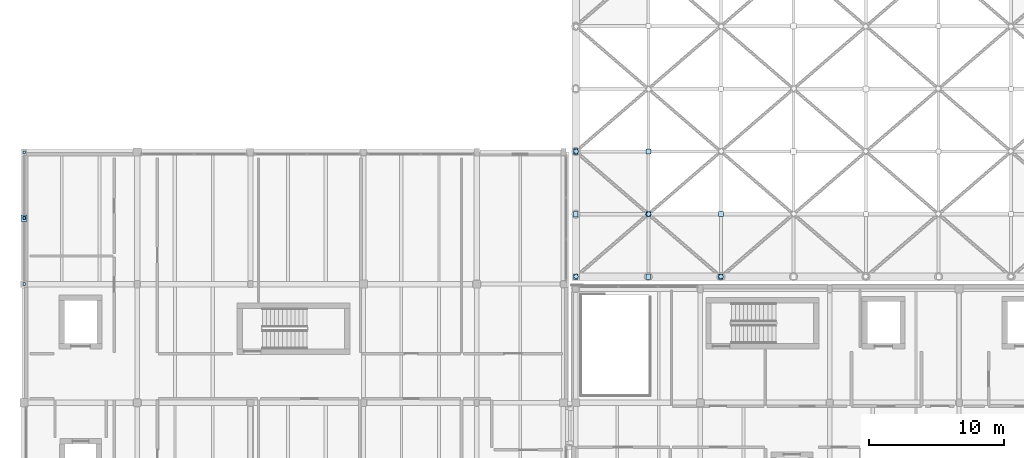
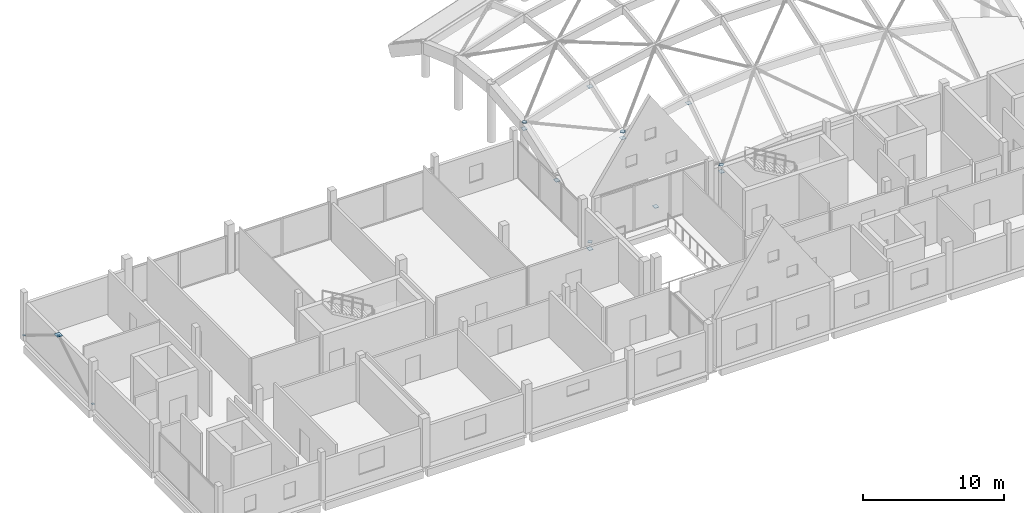
# One storey, part 20 of 41: 22 plates.
"""IFC4 building model written with IfcOpenShell, lengths in metres."""

from ifc_helpers import new_model, si_unit, direction, frame, origin, origin_2d, place, context, subcontext, project, spatial, rectangle, extrude, material, layer, layer_set, type_object, element, save


model = new_model("IFC4")

# Units and contexts
model_context = context("Model", 3, precision=1e-05, world=origin(), true_north=direction((0.0, 1.0)))
body_context = subcontext(model_context, "Body", "Model", "MODEL_VIEW")
ifc_project = project(units=[si_unit("LENGTHUNIT", "METRE"), si_unit("AREAUNIT", "SQUARE_METRE"), si_unit("VOLUMEUNIT", "CUBIC_METRE"), si_unit("PLANEANGLEUNIT", "RADIAN"), si_unit("MASSUNIT", "GRAM", prefix="KILO")], contexts=[model_context])

# Site, building, storey
site_placement = place(None, origin())
site = spatial("IfcSite", under=ifc_project, at=site_placement, CompositionType="ELEMENT")
building_placement = place(site_placement, origin())
building = spatial("IfcBuilding", under=site, at=building_placement, Name="Birchvale Park Specialist Clinic", CompositionType="ELEMENT")
storey_placement = place(building_placement, frame((0.0, 0.0, 9.60009765625)))
storey = spatial("IfcBuildingStorey", under=building, at=storey_placement, Name="L02", CompositionType="ELEMENT", Elevation=9.60009765625)

# Plates
ifc_material = material(Name="Steel ASTM A572 Grade 50", Category="steel")
ifc_layer_1 = layer(ifc_material, 0.02392578125)
ifc_layer_set_1 = layer_set([ifc_layer_1], Name="Steel ASTM A572 Grade 50")
plate_type_1 = type_object("IfcPlateType", Name="PLT-EC1", PredefinedType="USERDEFINED", material=ifc_layer_set_1)
for number, where, z_axis, x_axis, name in (
    (1, (52.171875, 35.1689453125, -0.324462890625), (0.0, 0.0, 1.0), (0.756881000713, 0.653552714599, 0.0), "V1 gridshell tube end cap 1.1"),
    (2, (57.513916015625, 39.781005859375, 4.504638671875), (0.0, 0.0, 1.0), (0.756881000713, 0.653552714599, 0.0), "V1 gridshell tube end cap 1.2"),
    (3, (57.50927734375, 39.822998046875, 4.523681640625), (0.0, 0.0, 1.0), (-0.756881000713, 0.653552714599, 0.0), "V1 gridshell tube end cap 2.1"),
    (4, (52.176513671875, 44.427001953125, 4.401123046875), (0.0, 0.0, 1.0), (-0.756881000713, 0.653552714599, 0.0), "V1 gridshell tube end cap 2.2"),
    (5, (52.17529296875, 44.4716796875, 4.4111328125), (0.0, 0.0, 1.0), (0.756881000713, 0.653552714599, 0.0), "V1 gridshell tube end cap 3.1"),
    (6, (62.89599609375, 35.172119140625, 2.570556640625), (0.0, 0.0, 1.0), (-0.756881000713, 0.653552714599, 0.0), "V1 gridshell tube end cap 7.1"),
    (7, (57.561279296875, 39.778076171875, 4.51513671875), (0.0, 0.0, 1.0), (-0.756881000713, 0.653552714599, 0.0), "V1 gridshell tube end cap 7.2"),
    (8, (57.560302734375, 39.8212890625, 4.537109375), (0.0, 0.0, 1.0), (0.756881000713, 0.653552714599, 0.0), "V1 gridshell tube end cap 8.1"),
    (9, (62.945068359375, 35.17041015625, 2.5771484375), (0.0, 0.0, 1.0), (0.756881000713, 0.653552714599, 0.0), "V1 gridshell tube end cap 13.1"),
):
    element("IfcPlate", number, at=place(storey_placement, frame(where, z_axis=z_axis, x_axis=x_axis)), inside=storey, type_object=plate_type_1, Name=name, ObjectType="BASE_PLATE", PredefinedType="USERDEFINED", context=body_context, shape_type="SweptSolid", body=[
        extrude(rectangle(XDim=0.300048828125, YDim=0.300048828125, at=origin_2d()), origin(), (0.0, 0.0, 1.0), 0.02392578125),
    ])
ifc_layer_2 = layer(ifc_material, 0.01806640625)
ifc_layer_set_2 = layer_set([ifc_layer_2], Name="Steel ASTM A572 Grade 50")
plate_type_2 = type_object("IfcPlateType", Name="PLT-EC4", PredefinedType="USERDEFINED", material=ifc_layer_set_2)
for number, where, z_axis, x_axis, name in (
    (10, (11.199951171875, 34.6171875, 0.351318359375), (0.0, 0.0, 1.0), (1.0, 0.0, 0.0), "V2 L02 brace sealed cap plate 8.1.1"),
    (11, (11.199951171875, 39.48291015625, 3.320556640625), (0.0, 0.0, 1.0), (1.0, 0.0, 0.0), "V2 L02 brace sealed cap plate 8.1.2"),
    (12, (11.199951171875, 44.3828125, 0.351318359375), (0.0, 0.0, 1.0), (1.0, 0.0, 0.0), "V2 L02 brace sealed cap plate 8.2.1"),
    (13, (11.199951171875, 39.51708984375, 3.320556640625), (0.0, 0.0, 1.0), (1.0, 0.0, 0.0), "V2 L02 brace sealed cap plate 8.2.2"),
):
    element("IfcPlate", number, at=place(storey_placement, frame(where, z_axis=z_axis, x_axis=x_axis)), inside=storey, type_object=plate_type_2, Name=name, ObjectType="BASE_PLATE", PredefinedType="USERDEFINED", context=body_context, shape_type="SweptSolid", body=[
        extrude(rectangle(XDim=0.18994140625, YDim=0.18994140625, at=origin_2d()), origin(), (0.0, 0.0, 1.0), 0.01806640625),
    ])
ifc_layer_3 = layer(ifc_material, 0.02490234375)
ifc_layer_set_3 = layer_set([ifc_layer_3], Name="Steel ASTM A572 Grade 50")
plate_type_3 = type_object("IfcPlateType", Name="PLT-GN2", PredefinedType="USERDEFINED", material=ifc_layer_set_3)
for number, where, z_axis, x_axis, name in (
    (14, (57.53564453125, 39.800048828125, 3.958740234375), (0.0, 0.0, 1.0), (1.0, 0.0, 0.0), "V1 gridshell steel node plate 9"),
    (15, (57.53564453125, 44.449951171875, 5.59814453125), (0.0, 0.0, 1.0), (1.0, 0.0, 0.0), "V1 gridshell steel node plate 10"),
    (16, (62.92138671875, 39.800048828125, 5.1005859375), (0.0, 0.0, 1.0), (1.0, 0.0, 0.0), "V1 gridshell steel node plate 16"),
):
    element("IfcPlate", number, at=place(storey_placement, frame(where, z_axis=z_axis, x_axis=x_axis)), inside=storey, type_object=plate_type_3, Name=name, ObjectType="GUSSET_PLATE", PredefinedType="USERDEFINED", context=body_context, shape_type="SweptSolid", body=[
        extrude(rectangle(XDim=0.3798828125, YDim=0.3798828125, at=origin_2d()), origin(), (0.0, 0.0, 1.0), 0.02490234375),
    ])
ifc_layer_4 = layer(ifc_material, 0.02490234375)
ifc_layer_set_4 = layer_set([ifc_layer_4], Name="Steel ASTM A572 Grade 50")
plate_type_4 = type_object("IfcPlateType", Name="PLT-GN3", PredefinedType="USERDEFINED", material=ifc_layer_set_4)
for number, where, z_axis, x_axis, name in (
    (17, (52.14990234375, 35.14990234375, -0.91015625), (0.0, 0.0, 1.0), (1.0, 0.0, 0.0), "V1 gridshell steel node plate 1"),
    (18, (52.14990234375, 39.800048828125, 2.195068359375), (0.0, 0.0, 1.0), (1.0, 0.0, 0.0), "V1 gridshell steel node plate 2"),
    (19, (52.14990234375, 44.449951171875, 3.8349609375), (0.0, 0.0, 1.0), (1.0, 0.0, 0.0), "V1 gridshell steel node plate 3"),
    (20, (57.53564453125, 35.14990234375, 0.853515625), (0.0, 0.0, 1.0), (1.0, 0.0, 0.0), "V1 gridshell steel node plate 8"),
    (21, (62.92138671875, 35.14990234375, 1.995361328125), (0.0, 0.0, 1.0), (1.0, 0.0, 0.0), "V1 gridshell steel node plate 15"),
):
    element("IfcPlate", number, at=place(storey_placement, frame(where, z_axis=z_axis, x_axis=x_axis)), inside=storey, type_object=plate_type_4, Name=name, ObjectType="GUSSET_PLATE", PredefinedType="USERDEFINED", context=body_context, shape_type="SweptSolid", body=[
        extrude(rectangle(XDim=0.340087890625, YDim=0.419921875, at=origin_2d()), origin(), (0.0, 0.0, 1.0), 0.02490234375),
    ])
ifc_layer_5 = layer(ifc_material, 0.02197265625)
ifc_layer_set_5 = layer_set([ifc_layer_5], Name="Steel ASTM A572 Grade 50")
plate_type_5 = type_object("IfcPlateType", Name="PLT-KN3", PredefinedType="USERDEFINED", material=ifc_layer_set_5)
plate_placement = place(storey_placement, frame((11.199951171875, 39.5, 3.33984375), z_axis=(0.0, 0.0, 1.0), x_axis=(1.0, 0.0, 0.0)))
element("IfcPlate", 22, at=plate_placement, inside=storey, type_object=plate_type_5, Name="V2 L02 braced-frame apex gusset plate KN1-8", ObjectType="GUSSET_PLATE", PredefinedType="USERDEFINED", context=body_context, shape_type="SweptSolid", body=[
    extrude(rectangle(XDim=0.419921875, YDim=0.47998046875, at=origin_2d()), origin(), (0.0, 0.0, 1.0), 0.02392578125),
])

save(model, "model.ifc")
